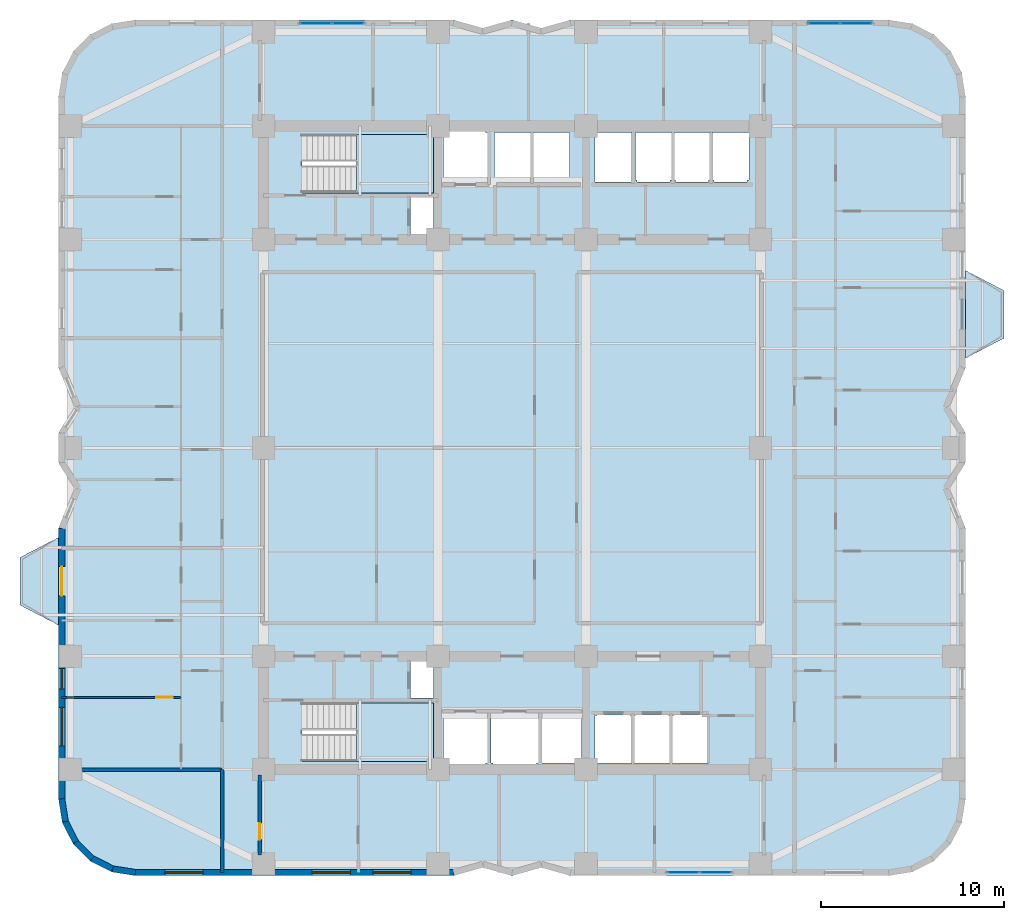
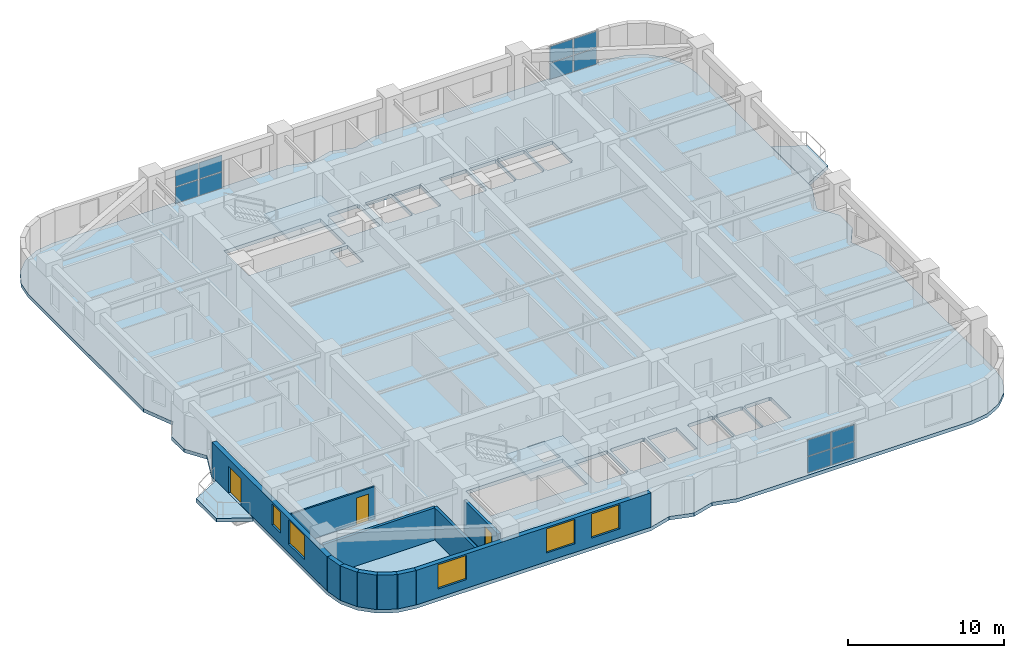
# One storey, part 5 of 13: 12 plates, 11 walls, 5 slabs, 5 windows, 3 doors, 8 openings, 5 elements without a shape of their own.
"""IFC4 building model written with IfcOpenShell, lengths in metres."""

from ifc_helpers import new_model, si_unit, direction, frame, frame_2d, origin, origin_2d, place, context, subcontext, project, spatial, polyline, rectangle, outline, extrude, material, layer, layer_set, type_object, element, fill, aggregate, save


model = new_model("IFC4")

# Units and contexts
model_context = context("Model", 3, precision=1e-05, world=origin(), true_north=direction((0.0, 1.0)))
body_context = subcontext(model_context, "Body", "Model", "MODEL_VIEW")
ifc_project = project(units=[si_unit("LENGTHUNIT", "METRE"), si_unit("AREAUNIT", "SQUARE_METRE"), si_unit("VOLUMEUNIT", "CUBIC_METRE"), si_unit("PLANEANGLEUNIT", "RADIAN"), si_unit("MASSUNIT", "GRAM", prefix="KILO")], contexts=[model_context])

# Site, building, storey
site_placement = place(None, origin())
site = spatial("IfcSite", under=ifc_project, at=site_placement, CompositionType="ELEMENT")
building_placement = place(site_placement, origin())
building = spatial("IfcBuilding", under=site, at=building_placement, Name="Svetorya Sky Lyceum", CompositionType="ELEMENT")
storey_placement = place(building_placement, frame((0.0, 0.0, 39.89990234375)))
storey = spatial("IfcBuildingStorey", under=building, at=storey_placement, Name="L09", CompositionType="ELEMENT", Elevation=39.89990234375)

# Curtain wall, plates
ifc_material_1 = material(Name="Thermally broken anodized aluminium and triple low-E glass", Category="aluminium")
curtain_wall_type = type_object("IfcCurtainWallType", Name="CW3-LOG-RES", PredefinedType="NOTDEFINED", material=ifc_material_1)
curtain_wall_1_placement = place(storey_placement, origin())
curtain_wall_1 = element("IfcCurtainWall", 1, at=curtain_wall_1_placement, inside=storey, type_object=curtain_wall_type, Name="L09 Recessed Loggia Curtain Wall 11", PredefinedType="NOTDEFINED")
ifc_material_2 = material(Name="Triple insulated low-E solar-control glass", Category="glass")
ifc_layer_1 = layer(ifc_material_2, 0.048095703125)
ifc_layer_set_1 = layer_set([ifc_layer_1], Name="Triple insulated low-E solar-control glass")
plate_type = type_object("IfcPlateType", Name="CWP-GLZ-48", PredefinedType="CURTAIN_PANEL", material=ifc_layer_set_1)
plate_1_placement = place(storey_placement, frame((48.566162109375, 4.969970703125, 0.0634765625), z_axis=(0.0, 0.0, 1.0), x_axis=(1.0, 0.0, 0.0)))
plate_1 = element("IfcPlate", 2, at=plate_1_placement, type_object=plate_type, Name="CW-3 panel 1.1", PredefinedType="CURTAIN_PANEL", context=body_context, shape_type="SweptSolid", body=[
    extrude(rectangle(XDim=1.70556640625, YDim=0.048095703125, at=origin_2d()), origin(), (0.0, 0.0, 1.0), 1.255615234375),
])
plate_2_placement = place(storey_placement, frame((48.566162109375, 4.969970703125, 1.380859375), z_axis=(0.0, 0.0, 1.0), x_axis=(1.0, 0.0, 0.0)))
plate_2 = element("IfcPlate", 3, at=plate_2_placement, type_object=plate_type, Name="CW-3 panel 1.2", PredefinedType="CURTAIN_PANEL", context=body_context, shape_type="SweptSolid", body=[
    extrude(rectangle(XDim=1.70556640625, YDim=0.048095703125, at=origin_2d()), origin(), (0.0, 0.0, 1.0), 1.255615234375),
])
plate_3_placement = place(storey_placement, frame((50.333740234375, 4.969970703125, 0.0634765625), z_axis=(0.0, 0.0, 1.0), x_axis=(1.0, 0.0, 0.0)))
plate_3 = element("IfcPlate", 4, at=plate_3_placement, type_object=plate_type, Name="CW-3 panel 2.1", PredefinedType="CURTAIN_PANEL", context=body_context, shape_type="SweptSolid", body=[
    extrude(rectangle(XDim=1.70556640625, YDim=0.048095703125, at=origin_2d()), origin(), (0.0, 0.0, 1.0), 1.255615234375),
])
plate_4_placement = place(storey_placement, frame((50.333740234375, 4.969970703125, 1.380859375), z_axis=(0.0, 0.0, 1.0), x_axis=(1.0, 0.0, 0.0)))
plate_4 = element("IfcPlate", 5, at=plate_4_placement, type_object=plate_type, Name="CW-3 panel 2.2", PredefinedType="CURTAIN_PANEL", context=body_context, shape_type="SweptSolid", body=[
    extrude(rectangle(XDim=1.70556640625, YDim=0.048095703125, at=origin_2d()), origin(), (0.0, 0.0, 1.0), 1.255615234375),
])
aggregate(curtain_wall_1, [plate_1, plate_2, plate_3, plate_4])

curtain_wall_2_placement = place(storey_placement, origin())
curtain_wall_2 = element("IfcCurtainWall", 6, at=curtain_wall_2_placement, inside=storey, type_object=curtain_wall_type, Name="L09 Recessed Loggia Curtain Wall 29", PredefinedType="NOTDEFINED")
plate_5_placement = place(storey_placement, frame((58.03369140625, 51.429931640625, 0.0634765625), z_axis=(0.0, 0.0, 1.0), x_axis=(-1.0, 0.0, 0.0)))
plate_5 = element("IfcPlate", 7, at=plate_5_placement, type_object=plate_type, Name="CW-3 panel 1.1", PredefinedType="CURTAIN_PANEL", context=body_context, shape_type="SweptSolid", body=[
    extrude(rectangle(XDim=1.70556640625, YDim=0.048095703125, at=origin_2d()), origin(), (0.0, 0.0, 1.0), 1.255615234375),
])
plate_6_placement = place(storey_placement, frame((58.03369140625, 51.429931640625, 1.380859375), z_axis=(0.0, 0.0, 1.0), x_axis=(-1.0, 0.0, 0.0)))
plate_6 = element("IfcPlate", 8, at=plate_6_placement, type_object=plate_type, Name="CW-3 panel 1.2", PredefinedType="CURTAIN_PANEL", context=body_context, shape_type="SweptSolid", body=[
    extrude(rectangle(XDim=1.70556640625, YDim=0.048095703125, at=origin_2d()), origin(), (0.0, 0.0, 1.0), 1.255615234375),
])
plate_7_placement = place(storey_placement, frame((56.266357421875, 51.429931640625, 0.0634765625), z_axis=(0.0, 0.0, 1.0), x_axis=(-1.0, 0.0, 0.0)))
plate_7 = element("IfcPlate", 9, at=plate_7_placement, type_object=plate_type, Name="CW-3 panel 2.1", PredefinedType="CURTAIN_PANEL", context=body_context, shape_type="SweptSolid", body=[
    extrude(rectangle(XDim=1.70556640625, YDim=0.048095703125, at=origin_2d()), origin(), (0.0, 0.0, 1.0), 1.255615234375),
])
plate_8_placement = place(storey_placement, frame((56.266357421875, 51.429931640625, 1.380859375), z_axis=(0.0, 0.0, 1.0), x_axis=(-1.0, 0.0, 0.0)))
plate_8 = element("IfcPlate", 10, at=plate_8_placement, type_object=plate_type, Name="CW-3 panel 2.2", PredefinedType="CURTAIN_PANEL", context=body_context, shape_type="SweptSolid", body=[
    extrude(rectangle(XDim=1.70556640625, YDim=0.048095703125, at=origin_2d()), origin(), (0.0, 0.0, 1.0), 1.255615234375),
])
aggregate(curtain_wall_2, [plate_5, plate_6, plate_7, plate_8])

curtain_wall_3_placement = place(storey_placement, origin())
curtain_wall_3 = element("IfcCurtainWall", 11, at=curtain_wall_3_placement, inside=storey, type_object=curtain_wall_type, Name="L09 Recessed Loggia Curtain Wall 34", PredefinedType="NOTDEFINED")
plate_9_placement = place(storey_placement, frame((30.233642578125, 51.429931640625, 0.0634765625), z_axis=(0.0, 0.0, 1.0), x_axis=(-1.0, 0.0, 0.0)))
plate_9 = element("IfcPlate", 12, at=plate_9_placement, type_object=plate_type, Name="CW-3 panel 1.1", PredefinedType="CURTAIN_PANEL", context=body_context, shape_type="SweptSolid", body=[
    extrude(rectangle(XDim=1.70556640625, YDim=0.048095703125, at=origin_2d()), origin(), (0.0, 0.0, 1.0), 1.255615234375),
])
plate_10_placement = place(storey_placement, frame((30.233642578125, 51.429931640625, 1.380859375), z_axis=(0.0, 0.0, 1.0), x_axis=(-1.0, 0.0, 0.0)))
plate_10 = element("IfcPlate", 13, at=plate_10_placement, type_object=plate_type, Name="CW-3 panel 1.2", PredefinedType="CURTAIN_PANEL", context=body_context, shape_type="SweptSolid", body=[
    extrude(rectangle(XDim=1.70556640625, YDim=0.048095703125, at=origin_2d()), origin(), (0.0, 0.0, 1.0), 1.255615234375),
])
plate_11_placement = place(storey_placement, frame((28.46630859375, 51.429931640625, 0.0634765625), z_axis=(0.0, 0.0, 1.0), x_axis=(-1.0, 0.0, 0.0)))
plate_11 = element("IfcPlate", 14, at=plate_11_placement, type_object=plate_type, Name="CW-3 panel 2.1", PredefinedType="CURTAIN_PANEL", context=body_context, shape_type="SweptSolid", body=[
    extrude(rectangle(XDim=1.70556640625, YDim=0.048095703125, at=origin_2d()), origin(), (0.0, 0.0, 1.0), 1.255615234375),
])
plate_12_placement = place(storey_placement, frame((28.46630859375, 51.429931640625, 1.380859375), z_axis=(0.0, 0.0, 1.0), x_axis=(-1.0, 0.0, 0.0)))
plate_12 = element("IfcPlate", 15, at=plate_12_placement, type_object=plate_type, Name="CW-3 panel 2.2", PredefinedType="CURTAIN_PANEL", context=body_context, shape_type="SweptSolid", body=[
    extrude(rectangle(XDim=1.70556640625, YDim=0.048095703125, at=origin_2d()), origin(), (0.0, 0.0, 1.0), 1.255615234375),
])
aggregate(curtain_wall_3, [plate_9, plate_10, plate_11, plate_12])

# Slabs
ifc_material_3 = material(Name="Concrete C40/50", Category="concrete")
ifc_layer_2 = layer(ifc_material_3, 0.280029296875)
ifc_layer_set_2 = layer_set([ifc_layer_2], Name="Concrete C40/50")
slab_type_1 = type_object("IfcSlabType", Name="SL-BAL-280", PredefinedType="FLOOR", material=ifc_layer_set_2)
slab_1_placement = place(storey_placement, frame((0.0, 0.0, -0.27978515625)))
element("IfcSlab", 16, at=slab_1_placement, inside=storey, type_object=slab_type_1, Name="L09 Chamfered Loggia Balcony BAL-W1", PredefinedType="FLOOR", context=body_context, shape_type="SweptSolid", body=[
    extrude(outline(polyline([(14.389892578125, 18.5), (14.389892578125, 23.300048828125), (12.2900390625, 22.199951171875), (12.2900390625, 19.60009765625), (14.389892578125, 18.5)])), origin(), (0.0, 0.0, 1.0), 0.27978515625),
])
slab_2_placement = place(storey_placement, frame((0.0, 0.0, -0.27978515625)))
element("IfcSlab", 17, at=slab_2_placement, inside=storey, type_object=slab_type_1, Name="L09 Chamfered Loggia Balcony BAL-E1", PredefinedType="FLOOR", context=body_context, shape_type="SweptSolid", body=[
    extrude(outline(polyline([(64.010009765625, 33.10009765625), (66.110107421875, 34.199951171875), (66.110107421875, 36.800048828125), (64.010009765625, 37.89990234375), (64.010009765625, 33.10009765625)])), origin(), (0.0, 0.0, 1.0), 0.27978515625),
])

# Stair, slab
stair_type_1 = type_object("IfcStairType", Name="STR-ST-S", PredefinedType="HALF_TURN_STAIR", material=ifc_material_3)
stair_1_placement = place(storey_placement, origin())
stair_1 = element("IfcStair", 18, at=stair_1_placement, inside=storey, type_object=stair_type_1, Name="L09 South Core Smoke-Free Exit Stair N2", PredefinedType="HALF_TURN_STAIR")
ifc_layer_3 = layer(ifc_material_3, 0.199951171875)
ifc_layer_set_3 = layer_set([ifc_layer_3], Name="Concrete C40/50")
slab_type_2 = type_object("IfcSlabType", Name="SL-STR-LAND-200", PredefinedType="LANDING", material=ifc_layer_set_3)
slab_3_placement = place(storey_placement, frame((0.0, 0.0, 1.650146484375)))
slab_3 = element("IfcSlab", 19, at=slab_3_placement, type_object=slab_type_2, Name="ST-S landing 1", PredefinedType="LANDING", context=body_context, shape_type="SweptSolid", body=[
    extrude(outline(polyline([(30.699951171875, 11.050048828125), (34.89990234375, 11.050048828125), (34.89990234375, 14.25), (30.699951171875, 14.25), (30.699951171875, 11.050048828125)])), origin(), (0.0, 0.0, 1.0), 0.199951171875),
])
aggregate(stair_1, [slab_3])

stair_type_2 = type_object("IfcStairType", Name="STR-ST-N", PredefinedType="HALF_TURN_STAIR", material=ifc_material_3)
stair_2_placement = place(storey_placement, origin())
stair_2 = element("IfcStair", 20, at=stair_2_placement, inside=storey, type_object=stair_type_2, Name="L09 North Core Smoke-Free Exit Stair N3", PredefinedType="HALF_TURN_STAIR")
slab_4_placement = place(storey_placement, frame((0.0, 0.0, 1.650146484375)))
slab_4 = element("IfcSlab", 21, at=slab_4_placement, type_object=slab_type_2, Name="ST-N landing 1", PredefinedType="LANDING", context=body_context, shape_type="SweptSolid", body=[
    extrude(outline(polyline([(30.699951171875, 42.14990234375), (34.89990234375, 42.14990234375), (34.89990234375, 45.35009765625), (30.699951171875, 45.35009765625), (30.699951171875, 42.14990234375)])), origin(), (0.0, 0.0, 1.0), 0.199951171875),
])
aggregate(stair_2, [slab_4])

# Slab
ifc_material_4 = material(Name="Concrete C50/60", Category="concrete")
ifc_layer_4 = layer(ifc_material_4, 0.280029296875)
ifc_layer_set_4 = layer_set([ifc_layer_4], Name="Concrete C50/60")
slab_type_3 = type_object("IfcSlabType", Name="SL-TWR-280", PredefinedType="FLOOR", material=ifc_layer_set_4)
slab_5_placement = place(storey_placement, frame((0.0, 0.0, -0.27978515625)))
element("IfcSlab", 22, at=slab_5_placement, inside=storey, type_object=slab_type_3, Name="L09 Structural Floor Slab", PredefinedType="FLOOR", context=body_context, shape_type="SweptSolid", body=[
    extrude(outline(polyline([(14.39990234375, 9.0), (14.605712890625, 7.7021484375), (15.2021484375, 6.53125), (16.13134765625, 5.60205078125), (17.302001953125, 5.005615234375), (18.60009765625, 4.800048828125), (36.0, 4.800048828125), (37.60009765625, 5.25), (39.199951171875, 4.800048828125), (40.800048828125, 5.25), (42.39990234375, 4.800048828125), (59.800048828125, 4.800048828125), (61.097900390625, 5.005615234375), (62.268798828125, 5.60205078125), (63.197998046875, 6.53125), (63.79443359375, 7.7021484375), (64.0, 9.0), (64.0, 23.800048828125), (63.10009765625, 26.0), (64.0, 27.39990234375), (64.0, 29.0), (63.10009765625, 30.39990234375), (64.0, 32.60009765625), (64.0, 47.39990234375), (63.79443359375, 48.697998046875), (63.197998046875, 49.86865234375), (62.268798828125, 50.7978515625), (61.097900390625, 51.394287109375), (59.800048828125, 51.60009765625), (42.39990234375, 51.60009765625), (40.800048828125, 51.14990234375), (39.199951171875, 51.60009765625), (37.60009765625, 51.14990234375), (36.0, 51.60009765625), (18.60009765625, 51.60009765625), (17.302001953125, 51.394287109375), (16.13134765625, 50.7978515625), (15.2021484375, 49.86865234375), (14.605712890625, 48.697998046875), (14.39990234375, 47.39990234375), (14.39990234375, 32.60009765625), (15.300048828125, 30.39990234375), (14.39990234375, 29.0), (14.39990234375, 27.39990234375), (15.300048828125, 26.0), (14.39990234375, 23.800048828125), (14.39990234375, 9.0)]), holes=[polyline([(35.550048828125, 13.64990234375), (37.75, 13.64990234375), (37.85009765625, 13.64990234375), (37.85009765625, 10.949951171875), (37.75, 10.949951171875), (37.75, 10.85009765625), (35.550048828125, 10.85009765625), (35.550048828125, 10.949951171875), (35.449951171875, 10.949951171875), (35.449951171875, 13.64990234375), (35.550048828125, 13.64990234375)]), polyline([(40.64990234375, 10.949951171875), (40.550048828125, 10.949951171875), (40.550048828125, 10.800048828125), (38.14990234375, 10.800048828125), (38.14990234375, 10.949951171875), (38.050048828125, 10.949951171875), (38.050048828125, 13.64990234375), (38.14990234375, 13.64990234375), (38.14990234375, 13.699951171875), (40.550048828125, 13.699951171875), (40.550048828125, 13.64990234375), (40.64990234375, 13.64990234375), (40.64990234375, 10.949951171875)]), polyline([(40.85009765625, 13.64990234375), (43.0, 13.64990234375), (43.0, 10.949951171875), (40.85009765625, 10.949951171875), (40.85009765625, 13.64990234375)]), polyline([(27.719970703125, 14.25), (34.89990234375, 14.25), (34.89990234375, 11.050048828125), (27.719970703125, 11.050048828125), (27.719970703125, 14.25)]), polyline([(33.64990234375, 16.580078125), (34.89990234375, 16.580078125), (34.89990234375, 14.52001953125), (33.64990234375, 14.52001953125), (33.64990234375, 16.580078125)]), polyline([(33.64990234375, 39.820068359375), (33.64990234375, 41.89990234375), (34.89990234375, 41.89990234375), (34.89990234375, 39.820068359375), (33.64990234375, 39.820068359375)]), polyline([(27.719970703125, 45.35009765625), (34.89990234375, 45.35009765625), (34.89990234375, 42.14990234375), (27.719970703125, 42.14990234375), (27.719970703125, 45.35009765625)]), polyline([(35.550048828125, 42.75), (35.449951171875, 42.75), (35.449951171875, 45.449951171875), (35.550048828125, 45.449951171875), (35.550048828125, 45.550048828125), (37.75, 45.550048828125), (37.75, 45.449951171875), (37.85009765625, 45.449951171875), (37.85009765625, 42.75), (37.75, 42.75), (35.550048828125, 42.75)]), polyline([(40.199951171875, 42.85009765625), (40.199951171875, 42.75), (38.39990234375, 42.75), (38.39990234375, 42.85009765625), (38.25, 42.85009765625), (38.25, 45.449951171875), (38.39990234375, 45.449951171875), (40.199951171875, 45.449951171875), (40.25, 45.449951171875), (40.25, 42.85009765625), (40.199951171875, 42.85009765625)]), polyline([(40.39990234375, 42.85009765625), (40.35009765625, 42.85009765625), (40.35009765625, 45.449951171875), (40.39990234375, 45.449951171875), (42.300048828125, 45.449951171875), (42.35009765625, 45.449951171875), (42.35009765625, 42.85009765625), (42.300048828125, 42.85009765625), (42.300048828125, 42.75), (40.39990234375, 42.75), (40.39990234375, 42.85009765625)]), polyline([(43.85009765625, 10.949951171875), (43.75, 10.949951171875), (43.75, 13.550048828125), (43.85009765625, 13.550048828125), (43.85009765625, 13.60009765625), (45.64990234375, 13.60009765625), (45.64990234375, 13.550048828125), (45.75, 13.550048828125), (45.75, 10.949951171875), (45.64990234375, 10.949951171875), (43.85009765625, 10.949951171875)]), polyline([(45.949951171875, 10.949951171875), (45.85009765625, 10.949951171875), (45.85009765625, 13.550048828125), (45.949951171875, 13.550048828125), (45.949951171875, 13.60009765625), (47.75, 13.60009765625), (47.75, 13.550048828125), (47.85009765625, 13.550048828125), (47.85009765625, 10.949951171875), (47.75, 10.949951171875), (45.949951171875, 10.949951171875)]), polyline([(49.85009765625, 13.550048828125), (49.949951171875, 13.550048828125), (49.949951171875, 10.949951171875), (49.85009765625, 10.949951171875), (48.050048828125, 10.949951171875), (47.949951171875, 10.949951171875), (47.949951171875, 13.550048828125), (48.050048828125, 13.550048828125), (48.050048828125, 13.60009765625), (49.85009765625, 13.60009765625), (49.85009765625, 13.550048828125)]), polyline([(43.75, 42.85009765625), (43.75, 45.449951171875), (45.699951171875, 45.449951171875), (45.75, 45.449951171875), (45.75, 42.85009765625), (45.699951171875, 42.85009765625), (45.699951171875, 42.75), (43.75, 42.75), (43.75, 42.85009765625)]), polyline([(46.050048828125, 42.85009765625), (45.949951171875, 42.85009765625), (45.949951171875, 45.449951171875), (46.050048828125, 45.449951171875), (47.85009765625, 45.449951171875), (47.949951171875, 45.449951171875), (47.949951171875, 42.85009765625), (47.85009765625, 42.85009765625), (47.85009765625, 42.75), (46.050048828125, 42.75), (46.050048828125, 42.85009765625)]), polyline([(48.14990234375, 42.85009765625), (48.050048828125, 42.85009765625), (48.050048828125, 45.449951171875), (48.14990234375, 45.449951171875), (49.949951171875, 45.449951171875), (50.050048828125, 45.449951171875), (50.050048828125, 42.85009765625), (49.949951171875, 42.85009765625), (49.949951171875, 42.75), (48.14990234375, 42.75), (48.14990234375, 42.85009765625)]), polyline([(50.25, 42.85009765625), (50.14990234375, 42.85009765625), (50.14990234375, 45.449951171875), (50.25, 45.449951171875), (52.050048828125, 45.449951171875), (52.14990234375, 45.449951171875), (52.14990234375, 42.85009765625), (52.050048828125, 42.85009765625), (52.050048828125, 42.75), (50.25, 42.75), (50.25, 42.85009765625)])]), origin(), (0.0, 0.0, 1.0), 0.27978515625),
])

# Walls
ifc_material_5 = material(Name="Putilovo limestone rainscreen on autoclaved cellular masonry", Category="masonry")
ifc_layer_5 = layer(ifc_material_5, 0.340087890625)
ifc_layer_set_5 = layer_set([ifc_layer_5], Name="Putilovo limestone rainscreen on autoclaved cellular masonry")
wall_type_1 = type_object("IfcWallType", Name="WL-EXT-340", PredefinedType="SOLIDWALL", material=ifc_layer_set_5)
wall_1_placement = place(storey_placement, frame((14.570068359375, 9.0, 0.0), z_axis=(0.0, 0.0, 1.0), x_axis=(0.156260864002, -0.98771582066, 0.0)))
element("IfcWall", 23, at=wall_1_placement, inside=storey, type_object=wall_type_1, Name="L09 Limestone Exterior Wall 1M", PredefinedType="SOLIDWALL", context=body_context, shape_type="SweptSolid", body=[
    extrude(rectangle(XDim=1.2607421875, YDim=0.340087890625, at=frame_2d((0.63037109375, 0.0))), origin(), (0.0, 0.0, 1.0), 2.7001953125),
])
wall_2_placement = place(storey_placement, frame((14.76708984375, 7.754638671875, 0.0), z_axis=(0.0, 0.0, 1.0), x_axis=(0.454015689056, -0.890993689142, 0.0)))
element("IfcWall", 24, at=wall_2_placement, inside=storey, type_object=wall_type_1, Name="L09 Limestone Exterior Wall 2M", PredefinedType="SOLIDWALL", context=body_context, shape_type="SweptSolid", body=[
    extrude(rectangle(XDim=1.260986328125, YDim=0.340087890625, at=frame_2d((0.63037109375, 0.0))), origin(), (0.0, 0.0, 1.0), 2.7001953125),
])
wall_3_placement = place(storey_placement, frame((15.339599609375, 6.631103515625, 0.0), z_axis=(0.0, 0.0, 1.0), x_axis=(0.707203598708, -0.707009950407, 0.0)))
element("IfcWall", 25, at=wall_3_placement, inside=storey, type_object=wall_type_1, Name="L09 Limestone Exterior Wall 3M", PredefinedType="SOLIDWALL", context=body_context, shape_type="SweptSolid", body=[
    extrude(rectangle(XDim=1.2607421875, YDim=0.340087890625, at=frame_2d((0.63037109375, 0.0))), origin(), (0.0, 0.0, 1.0), 2.7001953125),
])
for number, where, z_axis, x_axis, name in (
    (26, (16.231201171875, 5.73974609375, 0.0), (0.0, 0.0, 1.0), (0.890993689142, -0.454015689056, 0.0), "L09 Limestone Exterior Wall 4M"),
    (27, (17.354736328125, 5.167236328125, 0.0), (0.0, 0.0, 1.0), (0.987685918112, -0.15644975923, 0.0), "L09 Limestone Exterior Wall 5M"),
):
    element("IfcWall", number, at=place(storey_placement, frame(where, z_axis=z_axis, x_axis=x_axis)), inside=storey, type_object=wall_type_1, Name=name, PredefinedType="SOLIDWALL", context=body_context, shape_type="SweptSolid", body=[
        extrude(rectangle(XDim=1.260986328125, YDim=0.340087890625, at=frame_2d((0.63037109375, 0.0))), origin(), (0.0, 0.0, 1.0), 2.7001953125),
    ])

# Wall, openings, windows
wall_4_placement = place(storey_placement, frame((18.60009765625, 4.969970703125, 0.0), z_axis=(0.0, 0.0, 1.0), x_axis=(1.0, 0.0, 0.0)))
wall_4 = element("IfcWall", 28, at=wall_4_placement, inside=storey, type_object=wall_type_1, Name="L09 Limestone Exterior Wall 6M", PredefinedType="SOLIDWALL", context=body_context, shape_type="SweptSolid", body=[
    extrude(rectangle(XDim=17.39990234375, YDim=0.340087890625, at=frame_2d((8.699951171875, 0.0))), origin(), (0.0, 0.0, 1.0), 2.7001953125),
])
opening_1_placement = place(wall_4_placement, frame((1.612548828125, 0.0, 0.679931640625)))
opening_1 = element("IfcOpeningElement", 29, at=opening_1_placement, cuts=wall_4, Name="Opening W-R0", PredefinedType="OPENING", context=body_context, shape_type="SweptSolid", body=[
    extrude(rectangle(XDim=2.10009765625, YDim=1.89990234375, at=frame_2d((1.050048828125, 0.949951171875))), frame((0.0, 0.179931640625, 0.0), z_axis=(0.0, -1.0, 0.0), x_axis=(1.0, 0.0, 0.0)), (0.0, 0.0, 1.0), 0.360107421875),
])
opening_2_placement = place(wall_4_placement, frame((9.66259765625, 0.0, 0.679931640625)))
opening_2 = element("IfcOpeningElement", 30, at=opening_2_placement, cuts=wall_4, Name="Opening W-R0", PredefinedType="OPENING", context=body_context, shape_type="SweptSolid", body=[
    extrude(rectangle(XDim=2.10009765625, YDim=1.89990234375, at=frame_2d((1.050048828125, 0.949951171875))), frame((0.0, 0.179931640625, 0.0), z_axis=(0.0, -1.0, 0.0), x_axis=(1.0, 0.0, 0.0)), (0.0, 0.0, 1.0), 0.360107421875),
])
opening_3_placement = place(wall_4_placement, frame((12.987548828125, 0.0, 0.679931640625)))
opening_3 = element("IfcOpeningElement", 31, at=opening_3_placement, cuts=wall_4, Name="Opening W-R0", PredefinedType="OPENING", context=body_context, shape_type="SweptSolid", body=[
    extrude(rectangle(XDim=2.10009765625, YDim=1.89990234375, at=frame_2d((1.050048828125, 0.949951171875))), frame((0.0, 0.179931640625, 0.0), z_axis=(0.0, -1.0, 0.0), x_axis=(1.0, 0.0, 0.0)), (0.0, 0.0, 1.0), 0.360107421875),
])
ifc_material_6 = material(Name="Thermally broken aluminium frame with triple low-E glazing", Category="aluminium")
window_type_1 = type_object("IfcWindowType", Name="WN-RES-210", PartitioningType="TRIPLE_PANEL_VERTICAL", PredefinedType="WINDOW", material=ifc_material_6)
window_1_placement = place(opening_1_placement, origin())
window_1 = element("IfcWindow", 32, at=window_1_placement, inside=storey, type_object=window_type_1, Name="L09 Facade Window W-R0.6M.1", OverallHeight=1.89990234375, OverallWidth=2.10009765625, PartitioningType="SINGLE_PANEL", PredefinedType="WINDOW", context=body_context, shape_type="SweptSolid", body=[
    extrude(rectangle(XDim=2.10009765625, YDim=1.89990234375, at=frame_2d((1.050048828125, 0.949951171875))), frame((0.0, 0.030029296875, 0.0), z_axis=(0.0, -1.0, 0.0), x_axis=(1.0, 0.0, 0.0)), (0.0, 0.0, 1.0), 0.06005859375),
])
fill(opening_1, window_1)
window_2_placement = place(opening_2_placement, origin())
window_2 = element("IfcWindow", 33, at=window_2_placement, inside=storey, type_object=window_type_1, Name="L09 Facade Window W-R0.6M.2", OverallHeight=1.89990234375, OverallWidth=2.10009765625, PartitioningType="SINGLE_PANEL", PredefinedType="WINDOW", context=body_context, shape_type="SweptSolid", body=[
    extrude(rectangle(XDim=2.10009765625, YDim=1.89990234375, at=frame_2d((1.050048828125, 0.949951171875))), frame((0.0, 0.030029296875, 0.0), z_axis=(0.0, -1.0, 0.0), x_axis=(1.0, 0.0, 0.0)), (0.0, 0.0, 1.0), 0.06005859375),
])
fill(opening_2, window_2)
window_3_placement = place(opening_3_placement, origin())
window_3 = element("IfcWindow", 34, at=window_3_placement, inside=storey, type_object=window_type_1, Name="L09 Facade Window W-R0.6M.3", OverallHeight=1.89990234375, OverallWidth=2.10009765625, PartitioningType="SINGLE_PANEL", PredefinedType="WINDOW", context=body_context, shape_type="SweptSolid", body=[
    extrude(rectangle(XDim=2.10009765625, YDim=1.89990234375, at=frame_2d((1.050048828125, 0.949951171875))), frame((0.0, 0.030029296875, 0.0), z_axis=(0.0, -1.0, 0.0), x_axis=(1.0, 0.0, 0.0)), (0.0, 0.0, 1.0), 0.06005859375),
])
fill(opening_3, window_3)

# Wall, openings, door, windows
wall_5_placement = place(storey_placement, frame((14.570068359375, 23.800048828125, 0.0), z_axis=(0.0, 0.0, 1.0), x_axis=(0.0, -1.0, 0.0)))
wall_5 = element("IfcWall", 35, at=wall_5_placement, inside=storey, type_object=wall_type_1, Name="L09 Limestone Exterior Wall 46M", PredefinedType="SOLIDWALL", context=body_context, shape_type="SweptSolid", body=[
    extrude(rectangle(XDim=14.800048828125, YDim=0.340087890625, at=frame_2d((7.39990234375, 0.0))), origin(), (0.0, 0.0, 1.0), 2.7001953125),
])
opening_4_placement = place(wall_5_placement, frame((2.10009765625, 0.0, 0.0)))
opening_4 = element("IfcOpeningElement", 36, at=opening_4_placement, cuts=wall_5, Name="Opening D-BL1", PredefinedType="OPENING", context=body_context, shape_type="SweptSolid", body=[
    extrude(rectangle(XDim=1.60009765625, YDim=2.10009765625, at=frame_2d((0.800048828125, 1.050048828125))), frame((0.0, 0.179931640625, 0.0), z_axis=(0.0, -1.0, 0.0), x_axis=(1.0, 0.0, 0.0)), (0.0, 0.0, 1.0), 0.360107421875),
])
opening_5_placement = place(wall_5_placement, frame((7.679931640625, 0.0, 0.889892578125)))
opening_5 = element("IfcOpeningElement", 37, at=opening_5_placement, cuts=wall_5, Name="Opening W-R3", PredefinedType="OPENING", context=body_context, shape_type="SweptSolid", body=[
    extrude(rectangle(XDim=1.10009765625, YDim=1.64990234375, at=frame_2d((0.550048828125, 0.824951171875))), frame((0.0, 0.179931640625, 0.0), z_axis=(0.0, -1.0, 0.0), x_axis=(1.0, 0.0, 0.0)), (0.0, 0.0, 1.0), 0.360107421875),
])
opening_6_placement = place(wall_5_placement, frame((9.800048828125, 0.0, 0.679931640625)))
opening_6 = element("IfcOpeningElement", 38, at=opening_6_placement, cuts=wall_5, Name="Opening W-R0", PredefinedType="OPENING", context=body_context, shape_type="SweptSolid", body=[
    extrude(rectangle(XDim=2.10009765625, YDim=1.89990234375, at=frame_2d((1.050048828125, 0.949951171875))), frame((0.0, 0.179931640625, 0.0), z_axis=(0.0, -1.0, 0.0), x_axis=(1.0, 0.0, 0.0)), (0.0, 0.0, 1.0), 0.360107421875),
])
ifc_material_7 = material(Name="Insulated glazed aluminium balcony door", Category="aluminium")
door_type_1 = type_object("IfcDoorType", Name="DR-BAL-1600", OperationType="DOUBLE_DOOR_SINGLE_SWING", PredefinedType="DOOR", material=ifc_material_7)
door_1_placement = place(opening_4_placement, origin())
door_1 = element("IfcDoor", 39, at=door_1_placement, inside=storey, type_object=door_type_1, Name="L09 Balcony BAL-W1 Door", OperationType="DOUBLE_DOOR_SINGLE_SWING", OverallHeight=2.10009765625, OverallWidth=1.60009765625, PredefinedType="DOOR", context=body_context, shape_type="SweptSolid", body=[
    extrude(rectangle(XDim=1.60009765625, YDim=2.10009765625, at=frame_2d((0.800048828125, 1.050048828125))), frame((0.0, 0.02490234375, 0.0), z_axis=(0.0, -1.0, 0.0), x_axis=(1.0, 0.0, 0.0)), (0.0, 0.0, 1.0), 0.050048828125),
])
fill(opening_4, door_1)
window_type_2 = type_object("IfcWindowType", Name="WN-RES-110", PartitioningType="SINGLE_PANEL", PredefinedType="WINDOW", material=ifc_material_6)
window_4_placement = place(opening_5_placement, origin())
window_4 = element("IfcWindow", 40, at=window_4_placement, inside=storey, type_object=window_type_2, Name="L09 Facade Window W-R3.46M.2", OverallHeight=1.64990234375, OverallWidth=1.10009765625, PartitioningType="SINGLE_PANEL", PredefinedType="WINDOW", context=body_context, shape_type="SweptSolid", body=[
    extrude(rectangle(XDim=1.10009765625, YDim=1.64990234375, at=frame_2d((0.550048828125, 0.824951171875))), frame((0.0, 0.030029296875, 0.0), z_axis=(0.0, -1.0, 0.0), x_axis=(1.0, 0.0, 0.0)), (0.0, 0.0, 1.0), 0.06005859375),
])
fill(opening_5, window_4)
window_5_placement = place(opening_6_placement, origin())
window_5 = element("IfcWindow", 41, at=window_5_placement, inside=storey, type_object=window_type_1, Name="L09 Facade Window W-R0.46M.1", OverallHeight=1.89990234375, OverallWidth=2.10009765625, PartitioningType="SINGLE_PANEL", PredefinedType="WINDOW", context=body_context, shape_type="SweptSolid", body=[
    extrude(rectangle(XDim=2.10009765625, YDim=1.89990234375, at=frame_2d((1.050048828125, 0.949951171875))), frame((0.0, 0.030029296875, 0.0), z_axis=(0.0, -1.0, 0.0), x_axis=(1.0, 0.0, 0.0)), (0.0, 0.0, 1.0), 0.06005859375),
])
fill(opening_6, window_5)

# Wall, opening, door
ifc_material_8 = material(Name="Twin-stud galvanized framing with double fireboard", Category="gypsum")
ifc_layer_6 = layer(ifc_material_8, 0.1201171875)
ifc_layer_set_6 = layer_set([ifc_layer_6], Name="Twin-stud galvanized framing with double fireboard")
wall_type_2 = type_object("IfcWallType", Name="WL-PART-120", PredefinedType="PARTITIONING", material=ifc_layer_set_6)
wall_6_placement = place(storey_placement, frame((14.570068359375, 14.550048828125, 0.0), z_axis=(0.0, 0.0, 1.0), x_axis=(1.0, 0.0, 0.0)))
wall_6 = element("IfcWall", 42, at=wall_6_placement, inside=storey, type_object=wall_type_2, Name="L09 Interior Partition W1-WL1", PredefinedType="PARTITIONING", context=body_context, shape_type="SweptSolid", body=[
    extrude(rectangle(XDim=6.530029296875, YDim=0.1201171875, at=frame_2d((3.26513671875, 0.0))), origin(), (0.0, 0.0, 1.0), 2.530029296875),
])
opening_7_placement = place(wall_6_placement, frame((5.179931640625, 0.0, 0.0)))
opening_7 = element("IfcOpeningElement", 43, at=opening_7_placement, cuts=wall_6, Name="Opening D-RM1", PredefinedType="OPENING", context=body_context, shape_type="SweptSolid", body=[
    extrude(rectangle(XDim=0.89990234375, YDim=2.10009765625, at=frame_2d((0.449951171875, 1.050048828125))), frame((0.0, 0.070068359375, 0.0), z_axis=(0.0, -1.0, 0.0), x_axis=(1.0, 0.0, 0.0)), (0.0, 0.0, 1.0), 0.14013671875),
])
ifc_material_9 = material(Name="Lacquered birch veneer internal door")
door_type_2 = type_object("IfcDoorType", Name="DR-INT-900", OperationType="SINGLE_SWING_LEFT", PredefinedType="DOOR", material=ifc_material_9)
door_2_placement = place(opening_7_placement, origin())
door_2 = element("IfcDoor", 44, at=door_2_placement, inside=storey, type_object=door_type_2, Name="Apartment W1 Master Bedroom Door", OperationType="SINGLE_SWING_LEFT", OverallHeight=2.10009765625, OverallWidth=0.89990234375, PredefinedType="DOOR", context=body_context, shape_type="SweptSolid", body=[
    extrude(rectangle(XDim=0.89990234375, YDim=2.10009765625, at=frame_2d((0.449951171875, 1.050048828125))), frame((0.0, 0.02490234375, 0.0), z_axis=(0.0, -1.0, 0.0), x_axis=(1.0, 0.0, 0.0)), (0.0, 0.0, 1.0), 0.050048828125),
])
fill(opening_7, door_2)

# Walls
ifc_material_10 = material(Name="Autoclaved cellular masonry blockwork with gypsum plaster", Category="masonry")
ifc_layer_7 = layer(ifc_material_10, 0.199951171875)
ifc_layer_set_7 = layer_set([ifc_layer_7], Name="Autoclaved cellular masonry blockwork with gypsum plaster")
wall_type_3 = type_object("IfcWallType", Name="WL-PART-200", PredefinedType="PARTITIONING", material=ifc_layer_set_7)
wall_7_placement = place(storey_placement, frame((14.989990234375, 10.60009765625, 0.0), z_axis=(0.0, 0.0, 1.0), x_axis=(1.0, 0.0, 0.0)))
element("IfcWall", 45, at=wall_7_placement, inside=storey, type_object=wall_type_3, Name="L09 Interior Partition W-CAP-S", PredefinedType="PARTITIONING", context=body_context, shape_type="SweptSolid", body=[
    extrude(rectangle(XDim=8.360107421875, YDim=0.199951171875, at=frame_2d((4.18017578125, 0.0))), origin(), (0.0, 0.0, 1.0), 2.530029296875),
])
wall_8_placement = place(storey_placement, frame((23.35009765625, 4.969970703125, 0.0), z_axis=(0.0, 0.0, 1.0), x_axis=(0.0, 1.0, 0.0)))
element("IfcWall", 46, at=wall_8_placement, inside=storey, type_object=wall_type_3, Name="L09 Interior Partition WC-SW-END", PredefinedType="PARTITIONING", context=body_context, shape_type="SweptSolid", body=[
    extrude(rectangle(XDim=5.630126953125, YDim=0.199951171875, at=frame_2d((2.81494140625, 0.0))), origin(), (0.0, 0.0, 1.0), 2.530029296875),
])

# Wall, opening, door
wall_9_placement = place(storey_placement, frame((25.39990234375, 5.919921875, 0.0), z_axis=(0.0, 0.0, 1.0), x_axis=(0.0, 1.0, 0.0)))
wall_9 = element("IfcWall", 47, at=wall_9_placement, inside=storey, type_object=wall_type_3, Name="L09 Interior Partition S4-EW", PredefinedType="PARTITIONING", context=body_context, shape_type="SweptSolid", body=[
    extrude(rectangle(XDim=4.380126953125, YDim=0.199951171875, at=frame_2d((2.18994140625, 0.0))), origin(), (0.0, 0.0, 1.0), 2.530029296875),
])
opening_8_placement = place(wall_9_placement, frame((0.85009765625, 0.0, 0.0)))
opening_8 = element("IfcOpeningElement", 48, at=opening_8_placement, cuts=wall_9, Name="Opening D-RM1", PredefinedType="OPENING", context=body_context, shape_type="SweptSolid", body=[
    extrude(rectangle(XDim=0.89990234375, YDim=2.10009765625, at=frame_2d((0.449951171875, 1.050048828125))), frame((0.0, 0.10986328125, 0.0), z_axis=(0.0, -1.0, 0.0), x_axis=(1.0, 0.0, 0.0)), (0.0, 0.0, 1.0), 0.219970703125),
])
door_3_placement = place(opening_8_placement, origin())
door_3 = element("IfcDoor", 49, at=door_3_placement, inside=storey, type_object=door_type_2, Name="L09 SW Office Door", OperationType="SINGLE_SWING_LEFT", OverallHeight=2.10009765625, OverallWidth=0.89990234375, PredefinedType="DOOR", context=body_context, shape_type="SweptSolid", body=[
    extrude(rectangle(XDim=0.89990234375, YDim=2.10009765625, at=frame_2d((0.449951171875, 1.050048828125))), frame((0.0, 0.02490234375, 0.0), z_axis=(0.0, -1.0, 0.0), x_axis=(1.0, 0.0, 0.0)), (0.0, 0.0, 1.0), 0.050048828125),
])
fill(opening_8, door_3)

save(model, "model.ifc")
